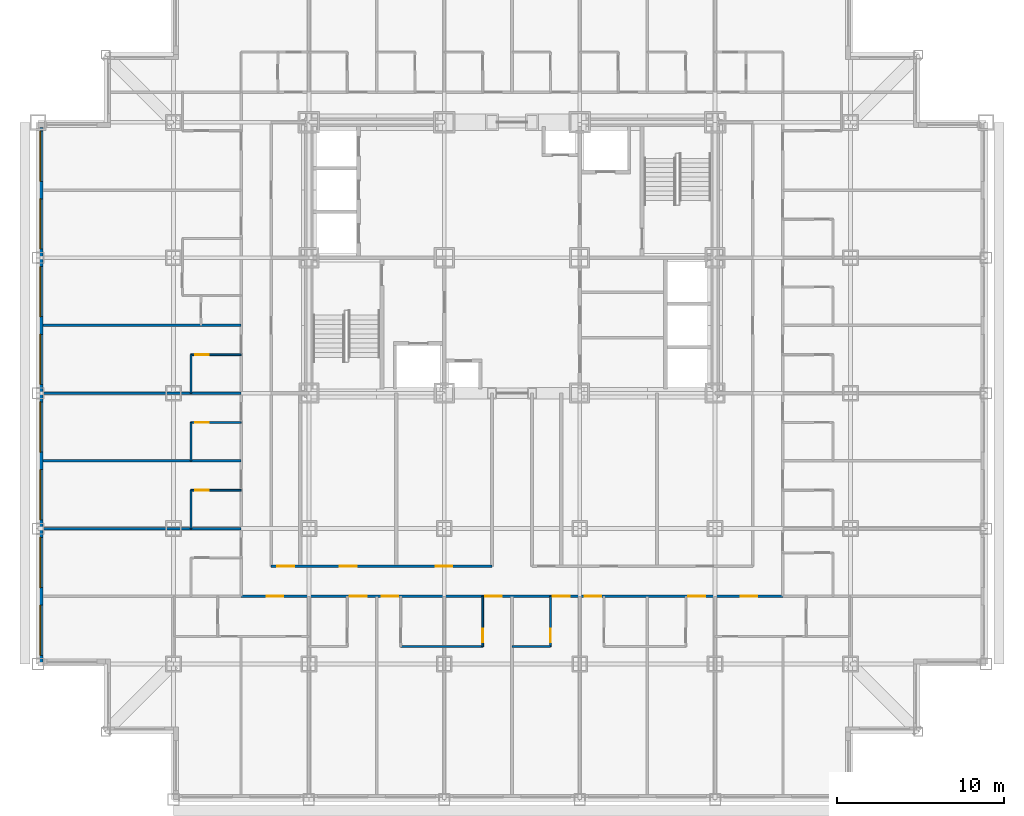
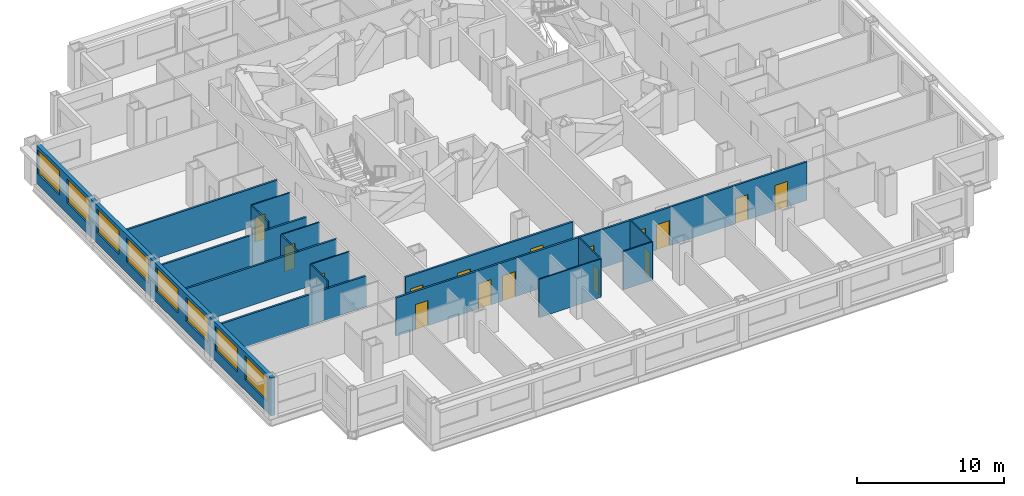
# One storey, part 4 of 11: 17 walls, 16 doors, 8 windows, 24 openings.
"""IFC4 building model written with IfcOpenShell, lengths in metres."""

from ifc_helpers import new_model, si_unit, direction, frame, frame_2d, origin, place, context, subcontext, project, spatial, rectangle, extrude, material, layer, layer_set, type_object, element, fill, save


model = new_model("IFC4")

# Units and contexts
model_context = context("Model", 3, precision=1e-05, world=origin(), true_north=direction((0.0, 1.0)))
body_context = subcontext(model_context, "Body", "Model", "MODEL_VIEW")
ifc_project = project(units=[si_unit("LENGTHUNIT", "METRE"), si_unit("AREAUNIT", "SQUARE_METRE"), si_unit("VOLUMEUNIT", "CUBIC_METRE"), si_unit("PLANEANGLEUNIT", "RADIAN"), si_unit("MASSUNIT", "GRAM", prefix="KILO")], contexts=[model_context])

# Site, building, storey
site_placement = place(None, origin())
site = spatial("IfcSite", under=ifc_project, at=site_placement, CompositionType="ELEMENT")
building_placement = place(site_placement, origin())
building = spatial("IfcBuilding", under=site, at=building_placement, Name="Kopane Lantern Tower", CompositionType="ELEMENT")
storey_placement = place(building_placement, frame((0.0, 0.0, 56.800048828125)))
storey = spatial("IfcBuildingStorey", under=building, at=storey_placement, Name="L13", CompositionType="ELEMENT", Elevation=56.800048828125)

# Wall
ifc_material_1 = material(Name="Moisture-resistant board on steel studs", Category="steel")
ifc_layer_1 = layer(ifc_material_1, 0.10009765625)
ifc_layer_set_1 = layer_set([ifc_layer_1], Name="BATHROOM WALL 100")
wall_type_1 = type_object("IfcWallType", Name="BATHROOM WALL 100", PredefinedType="PARTITIONING", material=ifc_layer_set_1)
wall_1_placement = place(storey_placement, frame((21.699951171875, 9.14990234375, 0.0), z_axis=(0.0, 0.0, 1.0), x_axis=(1.0, 0.0, 0.0)))
element("IfcWall", 1, at=wall_1_placement, inside=storey, type_object=wall_type_1, Name="Bathroom Wall 100 L13", PredefinedType="PARTITIONING", context=body_context, shape_type="SweptSolid", body=[
    extrude(rectangle(XDim=4.900146484375, YDim=0.10009765625, at=frame_2d((2.4501953125, 0.0))), origin(), (0.0, 0.0, 1.0), 3.18994140625),
])

# Wall, opening, door
wall_2_placement = place(storey_placement, frame((26.60009765625, 12.14990234375, 0.0), z_axis=(0.0, 0.0, 1.0), x_axis=(0.0, -1.0, 0.0)))
wall_2 = element("IfcWall", 2, at=wall_2_placement, inside=storey, type_object=wall_type_1, Name="Bathroom Wall 100 L13", PredefinedType="PARTITIONING", context=body_context, shape_type="SweptSolid", body=[
    extrude(rectangle(XDim=3.0, YDim=0.10009765625, at=frame_2d((1.5, 0.0))), origin(), (0.0, 0.0, 1.0), 3.18994140625),
])
opening_1_placement = place(wall_2_placement, frame((1.949951171875, 0.0, 0.0)))
opening_1 = element("IfcOpeningElement", 3, at=opening_1_placement, cuts=wall_2, Name="Opening L13-015", PredefinedType="OPENING", context=body_context, shape_type="SweptSolid", body=[
    extrude(rectangle(XDim=0.800048828125, YDim=2.10009765625, at=frame_2d((0.39990234375, 1.050048828125))), frame((0.0, 0.06005859375, 0.0), z_axis=(0.0, -1.0, 0.0), x_axis=(1.0, 0.0, 0.0)), (0.0, 0.0, 1.0), 0.1201171875),
])
ifc_material_2 = material(Name="Timber door set", Category="wood")
door_type_1 = type_object("IfcDoorType", Name="DOOR D2 800x2100", OperationType="SINGLE_SWING_LEFT", PredefinedType="DOOR", material=ifc_material_2)
door_1_placement = place(opening_1_placement, origin())
door_1 = element("IfcDoor", 4, at=door_1_placement, inside=storey, type_object=door_type_1, Name="Door L13-015", OperationType="SINGLE_SWING_LEFT", OverallHeight=2.10009765625, OverallWidth=0.800048828125, PredefinedType="DOOR", context=body_context, shape_type="SweptSolid", body=[
    extrude(rectangle(XDim=0.800048828125, YDim=2.10009765625, at=frame_2d((0.39990234375, 1.050048828125))), frame((0.0, 0.02490234375, 0.0), z_axis=(0.0, -1.0, 0.0), x_axis=(1.0, 0.0, 0.0)), (0.0, 0.0, 1.0), 0.050048828125),
])
fill(opening_1, door_1)

# Wall
wall_3_placement = place(storey_placement, frame((28.35009765625, 9.14990234375, 0.0), z_axis=(0.0, 0.0, 1.0), x_axis=(1.0, 0.0, 0.0)))
element("IfcWall", 5, at=wall_3_placement, inside=storey, type_object=wall_type_1, Name="Bathroom Wall 100 L13", PredefinedType="PARTITIONING", context=body_context, shape_type="SweptSolid", body=[
    extrude(rectangle(XDim=2.2998046875, YDim=0.10009765625, at=frame_2d((1.14990234375, 0.0))), origin(), (0.0, 0.0, 1.0), 3.18994140625),
])

# Wall, opening, door
wall_4_placement = place(storey_placement, frame((30.64990234375, 12.14990234375, 0.0), z_axis=(0.0, 0.0, 1.0), x_axis=(0.0, -1.0, 0.0)))
wall_4 = element("IfcWall", 6, at=wall_4_placement, inside=storey, type_object=wall_type_1, Name="Bathroom Wall 100 L13", PredefinedType="PARTITIONING", context=body_context, shape_type="SweptSolid", body=[
    extrude(rectangle(XDim=3.0, YDim=0.10009765625, at=frame_2d((1.5, 0.0))), origin(), (0.0, 0.0, 1.0), 3.18994140625),
])
opening_2_placement = place(wall_4_placement, frame((1.949951171875, 0.0, 0.0)))
opening_2 = element("IfcOpeningElement", 7, at=opening_2_placement, cuts=wall_4, Name="Opening L13-017", PredefinedType="OPENING", context=body_context, shape_type="SweptSolid", body=[
    extrude(rectangle(XDim=0.800048828125, YDim=2.10009765625, at=frame_2d((0.39990234375, 1.050048828125))), frame((0.0, 0.06005859375, 0.0), z_axis=(0.0, -1.0, 0.0), x_axis=(1.0, 0.0, 0.0)), (0.0, 0.0, 1.0), 0.1201171875),
])
door_2_placement = place(opening_2_placement, origin())
door_2 = element("IfcDoor", 8, at=door_2_placement, inside=storey, type_object=door_type_1, Name="Door L13-017", OperationType="SINGLE_SWING_LEFT", OverallHeight=2.10009765625, OverallWidth=0.800048828125, PredefinedType="DOOR", context=body_context, shape_type="SweptSolid", body=[
    extrude(rectangle(XDim=0.800048828125, YDim=2.10009765625, at=frame_2d((0.39990234375, 1.050048828125))), frame((0.0, 0.02490234375, 0.0), z_axis=(0.0, -1.0, 0.0), x_axis=(1.0, 0.0, 0.0)), (0.0, 0.0, 1.0), 0.050048828125),
])
fill(opening_2, door_2)

# Wall
wall_5_placement = place(storey_placement, frame((9.14990234375, 16.199951171875, 0.0), z_axis=(0.0, 0.0, 1.0), x_axis=(0.0, 1.0, 0.0)))
element("IfcWall", 9, at=wall_5_placement, inside=storey, type_object=wall_type_1, Name="Bathroom Wall 100 L13", PredefinedType="PARTITIONING", context=body_context, shape_type="SweptSolid", body=[
    extrude(rectangle(XDim=2.300048828125, YDim=0.10009765625, at=frame_2d((1.14990234375, 0.0))), origin(), (0.0, 0.0, 1.0), 3.18994140625),
])

# Wall, opening, door
wall_6_placement = place(storey_placement, frame((12.14990234375, 18.5, 0.0), z_axis=(0.0, 0.0, 1.0), x_axis=(-1.0, 0.0, 0.0)))
wall_6 = element("IfcWall", 10, at=wall_6_placement, inside=storey, type_object=wall_type_1, Name="Bathroom Wall 100 L13", PredefinedType="PARTITIONING", context=body_context, shape_type="SweptSolid", body=[
    extrude(rectangle(XDim=3.0, YDim=0.10009765625, at=frame_2d((1.5, 0.0))), origin(), (0.0, 0.0, 1.0), 3.18994140625),
])
opening_3_placement = place(wall_6_placement, frame((1.949951171875, 0.0, 0.0)))
opening_3 = element("IfcOpeningElement", 11, at=opening_3_placement, cuts=wall_6, Name="Opening L13-037", PredefinedType="OPENING", context=body_context, shape_type="SweptSolid", body=[
    extrude(rectangle(XDim=0.800048828125, YDim=2.10009765625, at=frame_2d((0.39990234375, 1.050048828125))), frame((0.0, 0.06005859375, 0.0), z_axis=(0.0, -1.0, 0.0), x_axis=(1.0, 0.0, 0.0)), (0.0, 0.0, 1.0), 0.1201171875),
])
door_3_placement = place(opening_3_placement, origin())
door_3 = element("IfcDoor", 12, at=door_3_placement, inside=storey, type_object=door_type_1, Name="Door L13-037", OperationType="SINGLE_SWING_RIGHT", OverallHeight=2.10009765625, OverallWidth=0.800048828125, PredefinedType="DOOR", context=body_context, shape_type="SweptSolid", body=[
    extrude(rectangle(XDim=0.800048828125, YDim=2.10009765625, at=frame_2d((0.39990234375, 1.050048828125))), frame((0.0, 0.02490234375, 0.0), z_axis=(0.0, -1.0, 0.0), x_axis=(1.0, 0.0, 0.0)), (0.0, 0.0, 1.0), 0.050048828125),
])
fill(opening_3, door_3)

# Wall
wall_7_placement = place(storey_placement, frame((9.14990234375, 20.25, 0.0), z_axis=(0.0, 0.0, 1.0), x_axis=(0.0, 1.0, 0.0)))
element("IfcWall", 13, at=wall_7_placement, inside=storey, type_object=wall_type_1, Name="Bathroom Wall 100 L13", PredefinedType="PARTITIONING", context=body_context, shape_type="SweptSolid", body=[
    extrude(rectangle(XDim=2.300048828125, YDim=0.10009765625, at=frame_2d((1.14990234375, 0.0))), origin(), (0.0, 0.0, 1.0), 3.18994140625),
])

# Wall, opening, door
wall_8_placement = place(storey_placement, frame((12.14990234375, 22.550048828125, 0.0), z_axis=(0.0, 0.0, 1.0), x_axis=(-1.0, 0.0, 0.0)))
wall_8 = element("IfcWall", 14, at=wall_8_placement, inside=storey, type_object=wall_type_1, Name="Bathroom Wall 100 L13", PredefinedType="PARTITIONING", context=body_context, shape_type="SweptSolid", body=[
    extrude(rectangle(XDim=3.0, YDim=0.10009765625, at=frame_2d((1.5, 0.0))), origin(), (0.0, 0.0, 1.0), 3.18994140625),
])
opening_4_placement = place(wall_8_placement, frame((1.949951171875, 0.0, 0.0)))
opening_4 = element("IfcOpeningElement", 15, at=opening_4_placement, cuts=wall_8, Name="Opening L13-039", PredefinedType="OPENING", context=body_context, shape_type="SweptSolid", body=[
    extrude(rectangle(XDim=0.800048828125, YDim=2.10009765625, at=frame_2d((0.39990234375, 1.050048828125))), frame((0.0, 0.06005859375, 0.0), z_axis=(0.0, -1.0, 0.0), x_axis=(1.0, 0.0, 0.0)), (0.0, 0.0, 1.0), 0.1201171875),
])
door_4_placement = place(opening_4_placement, origin())
door_4 = element("IfcDoor", 16, at=door_4_placement, inside=storey, type_object=door_type_1, Name="Door L13-039", OperationType="SINGLE_SWING_RIGHT", OverallHeight=2.10009765625, OverallWidth=0.800048828125, PredefinedType="DOOR", context=body_context, shape_type="SweptSolid", body=[
    extrude(rectangle(XDim=0.800048828125, YDim=2.10009765625, at=frame_2d((0.39990234375, 1.050048828125))), frame((0.0, 0.02490234375, 0.0), z_axis=(0.0, -1.0, 0.0), x_axis=(1.0, 0.0, 0.0)), (0.0, 0.0, 1.0), 0.050048828125),
])
fill(opening_4, door_4)

# Wall
wall_9_placement = place(storey_placement, frame((9.14990234375, 24.300048828125, 0.0), z_axis=(0.0, 0.0, 1.0), x_axis=(0.0, 1.0, 0.0)))
element("IfcWall", 17, at=wall_9_placement, inside=storey, type_object=wall_type_1, Name="Bathroom Wall 100 L13", PredefinedType="PARTITIONING", context=body_context, shape_type="SweptSolid", body=[
    extrude(rectangle(XDim=2.300048828125, YDim=0.10009765625, at=frame_2d((1.14990234375, 0.0))), origin(), (0.0, 0.0, 1.0), 3.18994140625),
])

# Wall, opening, door
wall_10_placement = place(storey_placement, frame((12.14990234375, 26.60009765625, 0.0), z_axis=(0.0, 0.0, 1.0), x_axis=(-1.0, 0.0, 0.0)))
wall_10 = element("IfcWall", 18, at=wall_10_placement, inside=storey, type_object=wall_type_1, Name="Bathroom Wall 100 L13", PredefinedType="PARTITIONING", context=body_context, shape_type="SweptSolid", body=[
    extrude(rectangle(XDim=3.0, YDim=0.10009765625, at=frame_2d((1.5, 0.0))), origin(), (0.0, 0.0, 1.0), 3.18994140625),
])
opening_5_placement = place(wall_10_placement, frame((1.949951171875, 0.0, 0.0)))
opening_5 = element("IfcOpeningElement", 19, at=opening_5_placement, cuts=wall_10, Name="Opening L13-041", PredefinedType="OPENING", context=body_context, shape_type="SweptSolid", body=[
    extrude(rectangle(XDim=0.800048828125, YDim=2.10009765625, at=frame_2d((0.39990234375, 1.050048828125))), frame((0.0, 0.06005859375, 0.0), z_axis=(0.0, -1.0, 0.0), x_axis=(1.0, 0.0, 0.0)), (0.0, 0.0, 1.0), 0.1201171875),
])
door_5_placement = place(opening_5_placement, origin())
door_5 = element("IfcDoor", 20, at=door_5_placement, inside=storey, type_object=door_type_1, Name="Door L13-041", OperationType="SINGLE_SWING_RIGHT", OverallHeight=2.10009765625, OverallWidth=0.800048828125, PredefinedType="DOOR", context=body_context, shape_type="SweptSolid", body=[
    extrude(rectangle(XDim=0.800048828125, YDim=2.10009765625, at=frame_2d((0.39990234375, 1.050048828125))), frame((0.0, 0.02490234375, 0.0), z_axis=(0.0, -1.0, 0.0), x_axis=(1.0, 0.0, 0.0)), (0.0, 0.0, 1.0), 0.050048828125),
])
fill(opening_5, door_5)

# Wall, openings, doors
ifc_material_3 = material(Name="Gypsum board on steel studs", Category="steel")
ifc_layer_2 = layer(ifc_material_3, 0.14990234375)
ifc_layer_set_2 = layer_set([ifc_layer_2], Name="CORRIDOR WALL 150 EI 60")
wall_type_2 = type_object("IfcWallType", Name="CORRIDOR WALL 150 EI 60", PredefinedType="PARTITIONING", material=ifc_layer_set_2)
wall_11_placement = place(storey_placement, frame((12.14990234375, 12.14990234375, 0.0), z_axis=(0.0, 0.0, 1.0), x_axis=(1.0, 0.0, 0.0)))
wall_11 = element("IfcWall", 21, at=wall_11_placement, inside=storey, type_object=wall_type_2, Name="Corridor Wall 150 Ei 60 L13", PredefinedType="PARTITIONING", context=body_context, shape_type="SweptSolid", body=[
    extrude(rectangle(XDim=32.400146484375, YDim=0.14990234375, at=frame_2d((16.2001953125, 0.0))), origin(), (0.0, 0.0, 1.0), 3.18994140625),
])
opening_6_placement = place(wall_11_placement, frame((6.5, 0.0, 0.0)))
opening_6 = element("IfcOpeningElement", 22, at=opening_6_placement, cuts=wall_11, Name="Opening L13-012", PredefinedType="OPENING", context=body_context, shape_type="SweptSolid", body=[
    extrude(rectangle(XDim=1.0, YDim=2.10009765625, at=frame_2d((0.5, 1.050048828125))), frame((0.0, 0.0849609375, 0.0), z_axis=(0.0, -1.0, 0.0), x_axis=(1.0, 0.0, 0.0)), (0.0, 0.0, 1.0), 0.169921875),
])
opening_7_placement = place(wall_11_placement, frame((8.39990234375, 0.0, 0.0)))
opening_7 = element("IfcOpeningElement", 23, at=opening_7_placement, cuts=wall_11, Name="Opening L13-014", PredefinedType="OPENING", context=body_context, shape_type="SweptSolid", body=[
    extrude(rectangle(XDim=1.0, YDim=2.10009765625, at=frame_2d((0.5, 1.050048828125))), frame((0.0, 0.0849609375, 0.0), z_axis=(0.0, -1.0, 0.0), x_axis=(1.0, 0.0, 0.0)), (0.0, 0.0, 1.0), 0.169921875),
])
opening_8_placement = place(wall_11_placement, frame((14.60009765625, 0.0, 0.0)))
opening_8 = element("IfcOpeningElement", 24, at=opening_8_placement, cuts=wall_11, Name="Opening L13-016", PredefinedType="OPENING", context=body_context, shape_type="SweptSolid", body=[
    extrude(rectangle(XDim=1.0, YDim=2.10009765625, at=frame_2d((0.5, 1.050048828125))), frame((0.0, 0.0849609375, 0.0), z_axis=(0.0, -1.0, 0.0), x_axis=(1.0, 0.0, 0.0)), (0.0, 0.0, 1.0), 0.169921875),
])
opening_9_placement = place(wall_11_placement, frame((18.64990234375, 0.0, 0.0)))
opening_9 = element("IfcOpeningElement", 25, at=opening_9_placement, cuts=wall_11, Name="Opening L13-018", PredefinedType="OPENING", context=body_context, shape_type="SweptSolid", body=[
    extrude(rectangle(XDim=1.0, YDim=2.10009765625, at=frame_2d((0.5, 1.050048828125))), frame((0.0, 0.0849609375, 0.0), z_axis=(0.0, -1.0, 0.0), x_axis=(1.0, 0.0, 0.0)), (0.0, 0.0, 1.0), 0.169921875),
])
opening_10_placement = place(wall_11_placement, frame((20.550048828125, 0.0, 0.0)))
opening_10 = element("IfcOpeningElement", 26, at=opening_10_placement, cuts=wall_11, Name="Opening L13-020", PredefinedType="OPENING", context=body_context, shape_type="SweptSolid", body=[
    extrude(rectangle(XDim=1.0, YDim=2.10009765625, at=frame_2d((0.5, 1.050048828125))), frame((0.0, 0.0849609375, 0.0), z_axis=(0.0, -1.0, 0.0), x_axis=(1.0, 0.0, 0.0)), (0.0, 0.0, 1.0), 0.169921875),
])
opening_11_placement = place(wall_11_placement, frame((26.75, 0.0, 0.0)))
opening_11 = element("IfcOpeningElement", 27, at=opening_11_placement, cuts=wall_11, Name="Opening L13-022", PredefinedType="OPENING", context=body_context, shape_type="SweptSolid", body=[
    extrude(rectangle(XDim=1.0, YDim=2.10009765625, at=frame_2d((0.5, 1.050048828125))), frame((0.0, 0.0849609375, 0.0), z_axis=(0.0, -1.0, 0.0), x_axis=(1.0, 0.0, 0.0)), (0.0, 0.0, 1.0), 0.169921875),
])
opening_12_placement = place(wall_11_placement, frame((1.52490234375, 0.0, 0.0)))
opening_12 = element("IfcOpeningElement", 28, at=opening_12_placement, cuts=wall_11, Name="Opening L13-062", PredefinedType="OPENING", context=body_context, shape_type="SweptSolid", body=[
    extrude(rectangle(XDim=1.0, YDim=2.10009765625, at=frame_2d((0.5, 1.050048828125))), frame((0.0, 0.0849609375, 0.0), z_axis=(0.0, -1.0, 0.0), x_axis=(1.0, 0.0, 0.0)), (0.0, 0.0, 1.0), 0.169921875),
])
opening_13_placement = place(wall_11_placement, frame((29.875, 0.0, 0.0)))
opening_13 = element("IfcOpeningElement", 29, at=opening_13_placement, cuts=wall_11, Name="Opening L13-066", PredefinedType="OPENING", context=body_context, shape_type="SweptSolid", body=[
    extrude(rectangle(XDim=1.0, YDim=2.10009765625, at=frame_2d((0.5, 1.050048828125))), frame((0.0, 0.0849609375, 0.0), z_axis=(0.0, -1.0, 0.0), x_axis=(1.0, 0.0, 0.0)), (0.0, 0.0, 1.0), 0.169921875),
])
ifc_material_4 = material(Name="Steel door set", Category="steel")
door_type_2 = type_object("IfcDoorType", Name="DOOR D1 1000x2100 FD30S", OperationType="SINGLE_SWING_LEFT", PredefinedType="DOOR", material=ifc_material_4)
door_6_placement = place(opening_6_placement, origin())
door_6 = element("IfcDoor", 30, at=door_6_placement, inside=storey, type_object=door_type_2, Name="Door L13-012", OperationType="SINGLE_SWING_RIGHT", OverallHeight=2.10009765625, OverallWidth=1.0, PredefinedType="DOOR", context=body_context, shape_type="SweptSolid", body=[
    extrude(rectangle(XDim=1.0, YDim=2.10009765625, at=frame_2d((0.5, 1.050048828125))), frame((0.0, 0.02490234375, 0.0), z_axis=(0.0, -1.0, 0.0), x_axis=(1.0, 0.0, 0.0)), (0.0, 0.0, 1.0), 0.050048828125),
])
fill(opening_6, door_6)
door_7_placement = place(opening_7_placement, origin())
door_7 = element("IfcDoor", 31, at=door_7_placement, inside=storey, type_object=door_type_2, Name="Door L13-014", OperationType="SINGLE_SWING_LEFT", OverallHeight=2.10009765625, OverallWidth=1.0, PredefinedType="DOOR", context=body_context, shape_type="SweptSolid", body=[
    extrude(rectangle(XDim=1.0, YDim=2.10009765625, at=frame_2d((0.5, 1.050048828125))), frame((0.0, 0.02490234375, 0.0), z_axis=(0.0, -1.0, 0.0), x_axis=(1.0, 0.0, 0.0)), (0.0, 0.0, 1.0), 0.050048828125),
])
fill(opening_7, door_7)
door_8_placement = place(opening_8_placement, origin())
door_8 = element("IfcDoor", 32, at=door_8_placement, inside=storey, type_object=door_type_2, Name="Door L13-016", OperationType="SINGLE_SWING_RIGHT", OverallHeight=2.10009765625, OverallWidth=1.0, PredefinedType="DOOR", context=body_context, shape_type="SweptSolid", body=[
    extrude(rectangle(XDim=1.0, YDim=2.10009765625, at=frame_2d((0.5, 1.050048828125))), frame((0.0, 0.02490234375, 0.0), z_axis=(0.0, -1.0, 0.0), x_axis=(1.0, 0.0, 0.0)), (0.0, 0.0, 1.0), 0.050048828125),
])
fill(opening_8, door_8)
door_9_placement = place(opening_9_placement, origin())
door_9 = element("IfcDoor", 33, at=door_9_placement, inside=storey, type_object=door_type_2, Name="Door L13-018", OperationType="SINGLE_SWING_RIGHT", OverallHeight=2.10009765625, OverallWidth=1.0, PredefinedType="DOOR", context=body_context, shape_type="SweptSolid", body=[
    extrude(rectangle(XDim=1.0, YDim=2.10009765625, at=frame_2d((0.5, 1.050048828125))), frame((0.0, 0.02490234375, 0.0), z_axis=(0.0, -1.0, 0.0), x_axis=(1.0, 0.0, 0.0)), (0.0, 0.0, 1.0), 0.050048828125),
])
fill(opening_9, door_9)
door_10_placement = place(opening_10_placement, origin())
door_10 = element("IfcDoor", 34, at=door_10_placement, inside=storey, type_object=door_type_2, Name="Door L13-020", OperationType="SINGLE_SWING_LEFT", OverallHeight=2.10009765625, OverallWidth=1.0, PredefinedType="DOOR", context=body_context, shape_type="SweptSolid", body=[
    extrude(rectangle(XDim=1.0, YDim=2.10009765625, at=frame_2d((0.5, 1.050048828125))), frame((0.0, 0.02490234375, 0.0), z_axis=(0.0, -1.0, 0.0), x_axis=(1.0, 0.0, 0.0)), (0.0, 0.0, 1.0), 0.050048828125),
])
fill(opening_10, door_10)
door_11_placement = place(opening_11_placement, origin())
door_11 = element("IfcDoor", 35, at=door_11_placement, inside=storey, type_object=door_type_2, Name="Door L13-022", OperationType="SINGLE_SWING_RIGHT", OverallHeight=2.10009765625, OverallWidth=1.0, PredefinedType="DOOR", context=body_context, shape_type="SweptSolid", body=[
    extrude(rectangle(XDim=1.0, YDim=2.10009765625, at=frame_2d((0.5, 1.050048828125))), frame((0.0, 0.02490234375, 0.0), z_axis=(0.0, -1.0, 0.0), x_axis=(1.0, 0.0, 0.0)), (0.0, 0.0, 1.0), 0.050048828125),
])
fill(opening_11, door_11)
door_12_placement = place(opening_12_placement, origin())
door_12 = element("IfcDoor", 36, at=door_12_placement, inside=storey, type_object=door_type_2, Name="Door L13-062", OperationType="SINGLE_SWING_LEFT", OverallHeight=2.10009765625, OverallWidth=1.0, PredefinedType="DOOR", context=body_context, shape_type="SweptSolid", body=[
    extrude(rectangle(XDim=1.0, YDim=2.10009765625, at=frame_2d((0.5, 1.050048828125))), frame((0.0, 0.02490234375, 0.0), z_axis=(0.0, -1.0, 0.0), x_axis=(1.0, 0.0, 0.0)), (0.0, 0.0, 1.0), 0.050048828125),
])
fill(opening_12, door_12)
door_13_placement = place(opening_13_placement, origin())
door_13 = element("IfcDoor", 37, at=door_13_placement, inside=storey, type_object=door_type_2, Name="Door L13-066", OperationType="SINGLE_SWING_RIGHT", OverallHeight=2.10009765625, OverallWidth=1.0, PredefinedType="DOOR", context=body_context, shape_type="SweptSolid", body=[
    extrude(rectangle(XDim=1.0, YDim=2.10009765625, at=frame_2d((0.5, 1.050048828125))), frame((0.0, 0.02490234375, 0.0), z_axis=(0.0, -1.0, 0.0), x_axis=(1.0, 0.0, 0.0)), (0.0, 0.0, 1.0), 0.050048828125),
])
fill(opening_13, door_13)

wall_12_placement = place(storey_placement, frame((13.949951171875, 13.949951171875, 0.0), z_axis=(0.0, 0.0, 1.0), x_axis=(1.0, 0.0, 0.0)))
wall_12 = element("IfcWall", 38, at=wall_12_placement, inside=storey, type_object=wall_type_2, Name="Corridor Wall 150 Ei 60 L13", PredefinedType="PARTITIONING", context=body_context, shape_type="SweptSolid", body=[
    extrude(rectangle(XDim=13.18994140625, YDim=0.14990234375, at=frame_2d((6.594970703125, 0.0))), origin(), (0.0, 0.0, 1.0), 3.18994140625),
])
opening_14_placement = place(wall_12_placement, frame((0.36962890625, 0.0, 0.0)))
opening_14 = element("IfcOpeningElement", 39, at=opening_14_placement, cuts=wall_12, Name="Opening L13-005", PredefinedType="OPENING", context=body_context, shape_type="SweptSolid", body=[
    extrude(rectangle(XDim=1.0, YDim=2.10009765625, at=frame_2d((0.5, 1.050048828125))), frame((0.0, 0.0849609375, 0.0), z_axis=(0.0, -1.0, 0.0), x_axis=(1.0, 0.0, 0.0)), (0.0, 0.0, 1.0), 0.169921875),
])
opening_15_placement = place(wall_12_placement, frame((4.104248046875, 0.0, 0.0)))
opening_15 = element("IfcOpeningElement", 40, at=opening_15_placement, cuts=wall_12, Name="Opening L13-006", PredefinedType="OPENING", context=body_context, shape_type="SweptSolid", body=[
    extrude(rectangle(XDim=1.0, YDim=2.10009765625, at=frame_2d((0.5, 1.050048828125))), frame((0.0, 0.0849609375, 0.0), z_axis=(0.0, -1.0, 0.0), x_axis=(1.0, 0.0, 0.0)), (0.0, 0.0, 1.0), 0.169921875),
])
opening_16_placement = place(wall_12_placement, frame((9.834716796875, 0.0, 0.0)))
opening_16 = element("IfcOpeningElement", 41, at=opening_16_placement, cuts=wall_12, Name="Opening L13-007", PredefinedType="OPENING", context=body_context, shape_type="SweptSolid", body=[
    extrude(rectangle(XDim=1.0, YDim=2.10009765625, at=frame_2d((0.5, 1.050048828125))), frame((0.0, 0.0849609375, 0.0), z_axis=(0.0, -1.0, 0.0), x_axis=(1.0, 0.0, 0.0)), (0.0, 0.0, 1.0), 0.169921875),
])
ifc_material_5 = material(Name="Steel door set", Category="steel")
door_type_3 = type_object("IfcDoorType", Name="DOOR D5 1000x2100 FD60", OperationType="SINGLE_SWING_LEFT", PredefinedType="DOOR", material=ifc_material_5)
door_14_placement = place(opening_14_placement, origin())
door_14 = element("IfcDoor", 42, at=door_14_placement, inside=storey, type_object=door_type_3, Name="Door L13-005", OperationType="SINGLE_SWING_LEFT", OverallHeight=2.10009765625, OverallWidth=1.0, PredefinedType="DOOR", context=body_context, shape_type="SweptSolid", body=[
    extrude(rectangle(XDim=1.0, YDim=2.10009765625, at=frame_2d((0.5, 1.050048828125))), frame((0.0, 0.02490234375, 0.0), z_axis=(0.0, -1.0, 0.0), x_axis=(1.0, 0.0, 0.0)), (0.0, 0.0, 1.0), 0.050048828125),
])
fill(opening_14, door_14)
door_15_placement = place(opening_15_placement, origin())
door_15 = element("IfcDoor", 43, at=door_15_placement, inside=storey, type_object=door_type_3, Name="Door L13-006", OperationType="SINGLE_SWING_RIGHT", OverallHeight=2.10009765625, OverallWidth=1.0, PredefinedType="DOOR", context=body_context, shape_type="SweptSolid", body=[
    extrude(rectangle(XDim=1.0, YDim=2.10009765625, at=frame_2d((0.5, 1.050048828125))), frame((0.0, 0.02490234375, 0.0), z_axis=(0.0, -1.0, 0.0), x_axis=(1.0, 0.0, 0.0)), (0.0, 0.0, 1.0), 0.050048828125),
])
fill(opening_15, door_15)
door_16_placement = place(opening_16_placement, origin())
door_16 = element("IfcDoor", 44, at=door_16_placement, inside=storey, type_object=door_type_3, Name="Door L13-007", OperationType="SINGLE_SWING_LEFT", OverallHeight=2.10009765625, OverallWidth=1.0, PredefinedType="DOOR", context=body_context, shape_type="SweptSolid", body=[
    extrude(rectangle(XDim=1.0, YDim=2.10009765625, at=frame_2d((0.5, 1.050048828125))), frame((0.0, 0.02490234375, 0.0), z_axis=(0.0, -1.0, 0.0), x_axis=(1.0, 0.0, 0.0)), (0.0, 0.0, 1.0), 0.050048828125),
])
fill(opening_16, door_16)

# Walls
ifc_material_6 = material(Name="Gypsum board on steel studs", Category="steel")
ifc_layer_3 = layer(ifc_material_6, 0.14990234375)
ifc_layer_set_3 = layer_set([ifc_layer_3], Name="DEMISING WALL 150 EI 60")
wall_type_3 = type_object("IfcWallType", Name="DEMISING WALL 150 EI 60", PredefinedType="PARTITIONING", material=ifc_layer_set_3)
wall_13_placement = place(storey_placement, frame((12.14990234375, 16.199951171875, 0.0), z_axis=(0.0, 0.0, 1.0), x_axis=(-1.0, 0.0, 0.0)))
element("IfcWall", 45, at=wall_13_placement, inside=storey, type_object=wall_type_3, Name="Demising Wall 150 Ei 60 L13", PredefinedType="PARTITIONING", context=body_context, shape_type="SweptSolid", body=[
    extrude(rectangle(XDim=11.849853515625, YDim=0.14990234375, at=frame_2d((5.9248046875, 0.0))), origin(), (0.0, 0.0, 1.0), 2.57763671875),
])
wall_14_placement = place(storey_placement, frame((12.14990234375, 20.25, 0.0), z_axis=(0.0, 0.0, 1.0), x_axis=(-1.0, 0.0, 0.0)))
element("IfcWall", 46, at=wall_14_placement, inside=storey, type_object=wall_type_3, Name="Demising Wall 150 Ei 60 L13", PredefinedType="PARTITIONING", context=body_context, shape_type="SweptSolid", body=[
    extrude(rectangle(XDim=11.849853515625, YDim=0.14990234375, at=frame_2d((5.9248046875, 0.0))), origin(), (0.0, 0.0, 1.0), 3.18994140625),
])
wall_15_placement = place(storey_placement, frame((12.14990234375, 24.300048828125, 0.0), z_axis=(0.0, 0.0, 1.0), x_axis=(-1.0, 0.0, 0.0)))
element("IfcWall", 47, at=wall_15_placement, inside=storey, type_object=wall_type_3, Name="Demising Wall 150 Ei 60 L13", PredefinedType="PARTITIONING", context=body_context, shape_type="SweptSolid", body=[
    extrude(rectangle(XDim=11.849853515625, YDim=0.14990234375, at=frame_2d((5.9248046875, 0.0))), origin(), (0.0, 0.0, 1.0), 2.57763671875),
])
wall_16_placement = place(storey_placement, frame((12.14990234375, 28.35009765625, 0.0), z_axis=(0.0, 0.0, 1.0), x_axis=(-1.0, 0.0, 0.0)))
element("IfcWall", 48, at=wall_16_placement, inside=storey, type_object=wall_type_3, Name="Demising Wall 150 Ei 60 L13", PredefinedType="PARTITIONING", context=body_context, shape_type="SweptSolid", body=[
    extrude(rectangle(XDim=11.849853515625, YDim=0.14990234375, at=frame_2d((5.9248046875, 0.0))), origin(), (0.0, 0.0, 1.0), 3.18994140625),
])

# Wall, openings, windows
ifc_material_7 = material(Name="Terracotta rainscreen on light steel framing", Category="masonry")
ifc_layer_4 = layer(ifc_material_7, 0.300048828125)
ifc_layer_set_4 = layer_set([ifc_layer_4], Name="EXTERNAL WALL EW1 300 TERRACOTTA")
wall_type_4 = type_object("IfcWallType", Name="EXTERNAL WALL EW1 300 TERRACOTTA", PredefinedType="SOLIDWALL", material=ifc_layer_set_4)
wall_17_placement = place(storey_placement, frame((0.14990234375, 40.199951171875, 0.0), z_axis=(0.0, 0.0, 1.0), x_axis=(0.0, -1.0, 0.0)))
wall_17 = element("IfcWall", 49, at=wall_17_placement, inside=storey, type_object=wall_type_4, Name="External wall W L13", PredefinedType="SOLIDWALL", context=body_context, shape_type="SweptSolid", body=[
    extrude(rectangle(XDim=32.099853515625, YDim=0.300048828125, at=frame_2d((16.0498046875, 0.0))), origin(), (0.0, 0.0, 1.0), 3.18994140625),
])
opening_17_placement = place(wall_17_placement, frame((0.22509765625, 0.0, 0.89990234375)))
opening_17 = element("IfcOpeningElement", 50, at=opening_17_placement, cuts=wall_17, Name="Opening WR300200", PredefinedType="OPENING", context=body_context, shape_type="SweptSolid", body=[
    extrude(rectangle(XDim=3.0, YDim=2.0, at=frame_2d((1.5, 1.0))), frame((0.0, 0.159912109375, 0.0), z_axis=(0.0, -1.0, 0.0), x_axis=(1.0, 0.0, 0.0)), (0.0, 0.0, 1.0), 0.320068359375),
])
opening_18_placement = place(wall_17_placement, frame((4.27490234375, 0.0, 0.89990234375)))
opening_18 = element("IfcOpeningElement", 51, at=opening_18_placement, cuts=wall_17, Name="Opening WR300200", PredefinedType="OPENING", context=body_context, shape_type="SweptSolid", body=[
    extrude(rectangle(XDim=3.0, YDim=2.0, at=frame_2d((1.5, 1.0))), frame((0.0, 0.159912109375, 0.0), z_axis=(0.0, -1.0, 0.0), x_axis=(1.0, 0.0, 0.0)), (0.0, 0.0, 1.0), 0.320068359375),
])
opening_19_placement = place(wall_17_placement, frame((8.324951171875, 0.0, 0.89990234375)))
opening_19 = element("IfcOpeningElement", 52, at=opening_19_placement, cuts=wall_17, Name="Opening WR300200", PredefinedType="OPENING", context=body_context, shape_type="SweptSolid", body=[
    extrude(rectangle(XDim=3.0, YDim=2.0, at=frame_2d((1.5, 1.0))), frame((0.0, 0.159912109375, 0.0), z_axis=(0.0, -1.0, 0.0), x_axis=(1.0, 0.0, 0.0)), (0.0, 0.0, 1.0), 0.320068359375),
])
opening_20_placement = place(wall_17_placement, frame((12.375, 0.0, 0.89990234375)))
opening_20 = element("IfcOpeningElement", 53, at=opening_20_placement, cuts=wall_17, Name="Opening WR300200", PredefinedType="OPENING", context=body_context, shape_type="SweptSolid", body=[
    extrude(rectangle(XDim=3.0, YDim=2.0, at=frame_2d((1.5, 1.0))), frame((0.0, 0.159912109375, 0.0), z_axis=(0.0, -1.0, 0.0), x_axis=(1.0, 0.0, 0.0)), (0.0, 0.0, 1.0), 0.320068359375),
])
opening_21_placement = place(wall_17_placement, frame((16.425048828125, 0.0, 0.89990234375)))
opening_21 = element("IfcOpeningElement", 54, at=opening_21_placement, cuts=wall_17, Name="Opening WR300200", PredefinedType="OPENING", context=body_context, shape_type="SweptSolid", body=[
    extrude(rectangle(XDim=3.0, YDim=2.0, at=frame_2d((1.5, 1.0))), frame((0.0, 0.159912109375, 0.0), z_axis=(0.0, -1.0, 0.0), x_axis=(1.0, 0.0, 0.0)), (0.0, 0.0, 1.0), 0.320068359375),
])
opening_22_placement = place(wall_17_placement, frame((20.47509765625, 0.0, 0.89990234375)))
opening_22 = element("IfcOpeningElement", 55, at=opening_22_placement, cuts=wall_17, Name="Opening WR300200", PredefinedType="OPENING", context=body_context, shape_type="SweptSolid", body=[
    extrude(rectangle(XDim=3.0, YDim=2.0, at=frame_2d((1.5, 1.0))), frame((0.0, 0.159912109375, 0.0), z_axis=(0.0, -1.0, 0.0), x_axis=(1.0, 0.0, 0.0)), (0.0, 0.0, 1.0), 0.320068359375),
])
opening_23_placement = place(wall_17_placement, frame((24.52490234375, 0.0, 0.89990234375)))
opening_23 = element("IfcOpeningElement", 56, at=opening_23_placement, cuts=wall_17, Name="Opening WR300200", PredefinedType="OPENING", context=body_context, shape_type="SweptSolid", body=[
    extrude(rectangle(XDim=3.0, YDim=2.0, at=frame_2d((1.5, 1.0))), frame((0.0, 0.159912109375, 0.0), z_axis=(0.0, -1.0, 0.0), x_axis=(1.0, 0.0, 0.0)), (0.0, 0.0, 1.0), 0.320068359375),
])
opening_24_placement = place(wall_17_placement, frame((28.574951171875, 0.0, 0.89990234375)))
opening_24 = element("IfcOpeningElement", 57, at=opening_24_placement, cuts=wall_17, Name="Opening WR300200", PredefinedType="OPENING", context=body_context, shape_type="SweptSolid", body=[
    extrude(rectangle(XDim=3.0, YDim=2.0, at=frame_2d((1.5, 1.0))), frame((0.0, 0.159912109375, 0.0), z_axis=(0.0, -1.0, 0.0), x_axis=(1.0, 0.0, 0.0)), (0.0, 0.0, 1.0), 0.320068359375),
])
ifc_material_8 = material(Name="Aluminium and clear glass", Category="aluminium")
window_type = type_object("IfcWindowType", Name="RIBBON WINDOW WR300200 3000x2000", PartitioningType="SINGLE_PANEL", PredefinedType="WINDOW", material=ifc_material_8)
window_1_placement = place(opening_17_placement, origin())
window_1 = element("IfcWindow", 58, at=window_1_placement, inside=storey, type_object=window_type, Name="Window W L13", OverallHeight=2.0, OverallWidth=3.0, PartitioningType="SINGLE_PANEL", PredefinedType="WINDOW", context=body_context, shape_type="SweptSolid", body=[
    extrude(rectangle(XDim=3.0, YDim=2.0, at=frame_2d((1.5, 1.0))), frame((0.0, 0.030029296875, 0.0), z_axis=(0.0, -1.0, 0.0), x_axis=(1.0, 0.0, 0.0)), (0.0, 0.0, 1.0), 0.06005859375),
])
fill(opening_17, window_1)
window_2_placement = place(opening_18_placement, origin())
window_2 = element("IfcWindow", 59, at=window_2_placement, inside=storey, type_object=window_type, Name="Window W L13", OverallHeight=2.0, OverallWidth=3.0, PartitioningType="SINGLE_PANEL", PredefinedType="WINDOW", context=body_context, shape_type="SweptSolid", body=[
    extrude(rectangle(XDim=3.0, YDim=2.0, at=frame_2d((1.5, 1.0))), frame((0.0, 0.030029296875, 0.0), z_axis=(0.0, -1.0, 0.0), x_axis=(1.0, 0.0, 0.0)), (0.0, 0.0, 1.0), 0.06005859375),
])
fill(opening_18, window_2)
window_3_placement = place(opening_19_placement, origin())
window_3 = element("IfcWindow", 60, at=window_3_placement, inside=storey, type_object=window_type, Name="Window W L13", OverallHeight=2.0, OverallWidth=3.0, PartitioningType="SINGLE_PANEL", PredefinedType="WINDOW", context=body_context, shape_type="SweptSolid", body=[
    extrude(rectangle(XDim=3.0, YDim=2.0, at=frame_2d((1.5, 1.0))), frame((0.0, 0.030029296875, 0.0), z_axis=(0.0, -1.0, 0.0), x_axis=(1.0, 0.0, 0.0)), (0.0, 0.0, 1.0), 0.06005859375),
])
fill(opening_19, window_3)
window_4_placement = place(opening_20_placement, origin())
window_4 = element("IfcWindow", 61, at=window_4_placement, inside=storey, type_object=window_type, Name="Window W L13", OverallHeight=2.0, OverallWidth=3.0, PartitioningType="SINGLE_PANEL", PredefinedType="WINDOW", context=body_context, shape_type="SweptSolid", body=[
    extrude(rectangle(XDim=3.0, YDim=2.0, at=frame_2d((1.5, 1.0))), frame((0.0, 0.030029296875, 0.0), z_axis=(0.0, -1.0, 0.0), x_axis=(1.0, 0.0, 0.0)), (0.0, 0.0, 1.0), 0.06005859375),
])
fill(opening_20, window_4)
window_5_placement = place(opening_21_placement, origin())
window_5 = element("IfcWindow", 62, at=window_5_placement, inside=storey, type_object=window_type, Name="Window W L13", OverallHeight=2.0, OverallWidth=3.0, PartitioningType="SINGLE_PANEL", PredefinedType="WINDOW", context=body_context, shape_type="SweptSolid", body=[
    extrude(rectangle(XDim=3.0, YDim=2.0, at=frame_2d((1.5, 1.0))), frame((0.0, 0.030029296875, 0.0), z_axis=(0.0, -1.0, 0.0), x_axis=(1.0, 0.0, 0.0)), (0.0, 0.0, 1.0), 0.06005859375),
])
fill(opening_21, window_5)
window_6_placement = place(opening_22_placement, origin())
window_6 = element("IfcWindow", 63, at=window_6_placement, inside=storey, type_object=window_type, Name="Window W L13", OverallHeight=2.0, OverallWidth=3.0, PartitioningType="SINGLE_PANEL", PredefinedType="WINDOW", context=body_context, shape_type="SweptSolid", body=[
    extrude(rectangle(XDim=3.0, YDim=2.0, at=frame_2d((1.5, 1.0))), frame((0.0, 0.030029296875, 0.0), z_axis=(0.0, -1.0, 0.0), x_axis=(1.0, 0.0, 0.0)), (0.0, 0.0, 1.0), 0.06005859375),
])
fill(opening_22, window_6)
window_7_placement = place(opening_23_placement, origin())
window_7 = element("IfcWindow", 64, at=window_7_placement, inside=storey, type_object=window_type, Name="Window W L13", OverallHeight=2.0, OverallWidth=3.0, PartitioningType="SINGLE_PANEL", PredefinedType="WINDOW", context=body_context, shape_type="SweptSolid", body=[
    extrude(rectangle(XDim=3.0, YDim=2.0, at=frame_2d((1.5, 1.0))), frame((0.0, 0.030029296875, 0.0), z_axis=(0.0, -1.0, 0.0), x_axis=(1.0, 0.0, 0.0)), (0.0, 0.0, 1.0), 0.06005859375),
])
fill(opening_23, window_7)
window_8_placement = place(opening_24_placement, origin())
window_8 = element("IfcWindow", 65, at=window_8_placement, inside=storey, type_object=window_type, Name="Window W L13", OverallHeight=2.0, OverallWidth=3.0, PartitioningType="SINGLE_PANEL", PredefinedType="WINDOW", context=body_context, shape_type="SweptSolid", body=[
    extrude(rectangle(XDim=3.0, YDim=2.0, at=frame_2d((1.5, 1.0))), frame((0.0, 0.030029296875, 0.0), z_axis=(0.0, -1.0, 0.0), x_axis=(1.0, 0.0, 0.0)), (0.0, 0.0, 1.0), 0.06005859375),
])
fill(opening_24, window_8)

save(model, "model.ifc")
